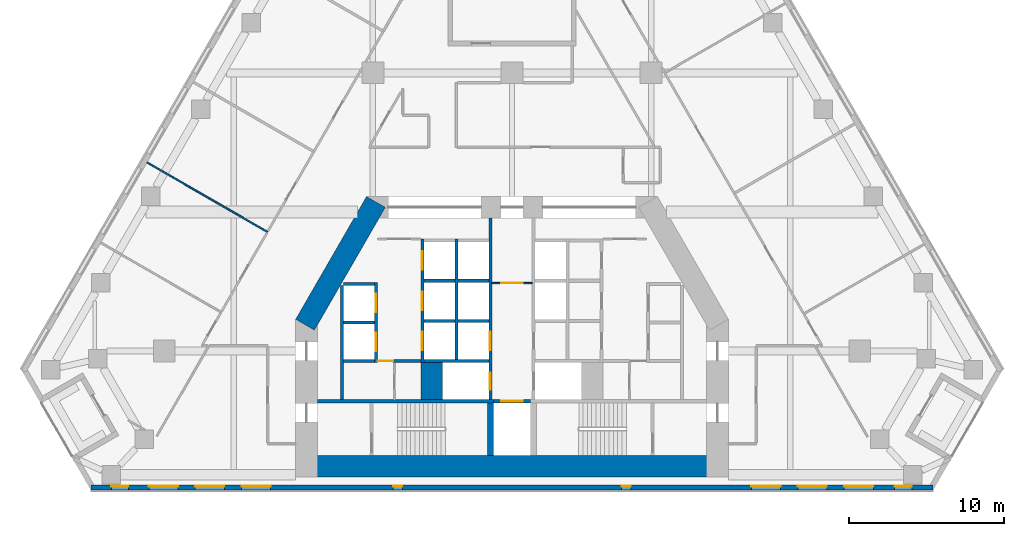
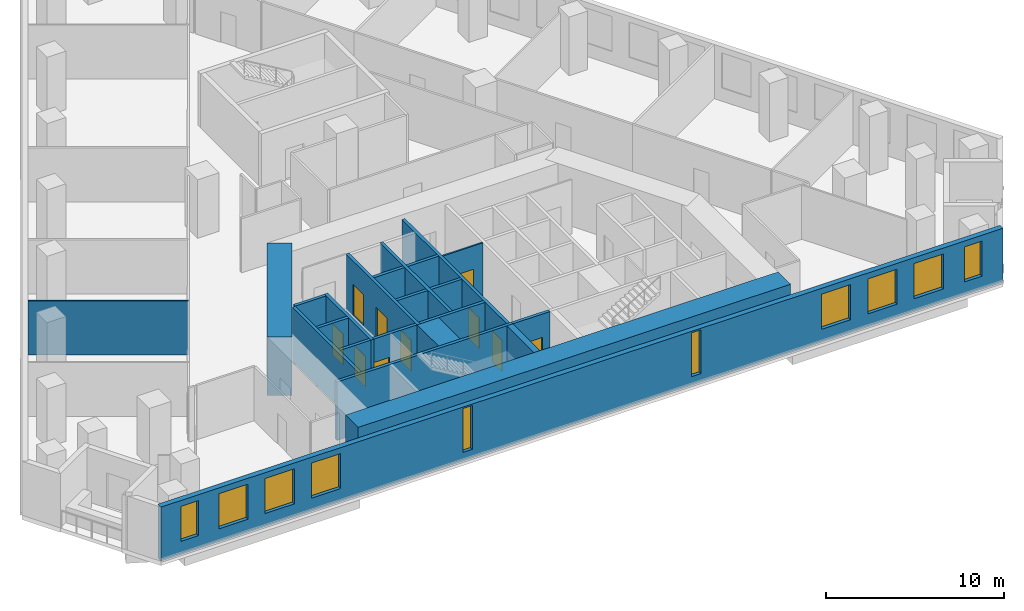
# One storey, part 4 of 11: 23 walls, 10 doors, 10 windows, 20 openings.
"""IFC4 building model written with IfcOpenShell, lengths in metres."""

from ifc_helpers import new_model, si_unit, direction, frame, frame_2d, origin, place, context, subcontext, project, spatial, rectangle, extrude, material, layer, layer_set, type_object, element, fill, save


model = new_model("IFC4")

# Units and contexts
model_context = context("Model", 3, precision=1e-05, world=origin(), true_north=direction((0.0, 1.0)))
body_context = subcontext(model_context, "Body", "Model", "MODEL_VIEW")
ifc_project = project(units=[si_unit("LENGTHUNIT", "METRE"), si_unit("AREAUNIT", "SQUARE_METRE"), si_unit("VOLUMEUNIT", "CUBIC_METRE"), si_unit("PLANEANGLEUNIT", "RADIAN"), si_unit("MASSUNIT", "GRAM", prefix="KILO")], contexts=[model_context])

# Site, building, storey
site_placement = place(None, origin())
site = spatial("IfcSite", under=ifc_project, at=site_placement, CompositionType="ELEMENT")
building_placement = place(site_placement, origin())
building = spatial("IfcBuilding", under=site, at=building_placement, Name="Fogline Exchange Tower", CompositionType="ELEMENT")
storey_placement = place(building_placement, frame((0.0, 0.0, 52.89990234375)))
storey = spatial("IfcBuildingStorey", under=building, at=storey_placement, Name="L10", CompositionType="ELEMENT", Elevation=52.89990234375)

# Wall, opening, door
ifc_material_1 = material(Name="Blockwork partition", Category="masonry")
ifc_layer_1 = layer(ifc_material_1, 0.10009765625)
ifc_layer_set_1 = layer_set([ifc_layer_1], Name="CW10")
wall_type_1 = type_object("IfcWallType", Name="CW10", PredefinedType="PARTITIONING", material=ifc_layer_set_1)
wall_1_placement = place(storey_placement, frame((-1.300048828125, 13.39990234375, 0.0), z_axis=(0.0, 0.0, 1.0), x_axis=(1.0, 0.0, 0.0)))
wall_1 = element("IfcWall", 1, at=wall_1_placement, inside=storey, type_object=wall_type_1, Name="Lift lobby partition", PredefinedType="PARTITIONING", context=body_context, shape_type="SweptSolid", body=[
    extrude(rectangle(XDim=2.60009765625, YDim=0.10009765625, at=frame_2d((1.300048828125, 0.0))), origin(), (0.0, 0.0, 1.0), 3.7001953125),
])
opening_1_placement = place(wall_1_placement, frame((0.60009765625, 0.0, 0.0)))
opening_1 = element("IfcOpeningElement", 2, at=opening_1_placement, cuts=wall_1, Name="Opening T03-C019", PredefinedType="OPENING", context=body_context, shape_type="SweptSolid", body=[
    extrude(rectangle(XDim=1.39990234375, YDim=2.10009765625, at=frame_2d((0.699951171875, 1.050048828125))), frame((0.0, 0.06005859375, 0.0), z_axis=(0.0, -1.0, 0.0), x_axis=(1.0, 0.0, 0.0)), (0.0, 0.0, 1.0), 0.1201171875),
])
ifc_material_2 = material(Name="Steel and timber fire door", Category="steel")
door_type_1 = type_object("IfcDoorType", Name="D-LB1", OperationType="DOUBLE_DOOR_SINGLE_SWING", PredefinedType="DOOR", material=ifc_material_2)
door_1_placement = place(opening_1_placement, origin())
door_1 = element("IfcDoor", 3, at=door_1_placement, inside=storey, type_object=door_type_1, Name="Door to firefighting lift lobby", OperationType="DOUBLE_DOOR_SINGLE_SWING", OverallHeight=2.10009765625, OverallWidth=1.39990234375, PredefinedType="DOOR", context=body_context, shape_type="SweptSolid", body=[
    extrude(rectangle(XDim=1.39990234375, YDim=2.10009765625, at=frame_2d((0.699951171875, 1.050048828125))), frame((0.0, 0.02490234375, 0.0), z_axis=(0.0, -1.0, 0.0), x_axis=(1.0, 0.0, 0.0)), (0.0, 0.0, 1.0), 0.050048828125),
])
fill(opening_1, door_1)

# Walls
ifc_material_3 = material(Name="Concrete C60", Category="concrete")
ifc_layer_2 = layer(ifc_material_3, 1.39990234375)
ifc_layer_set_2 = layer_set([ifc_layer_2], Name="CW140")
wall_type_2 = type_object("IfcWallType", Name="CW140", PredefinedType="SOLIDWALL", material=ifc_layer_set_2)
wall_2_placement = place(storey_placement, frame((-5.199951171875, 5.85009765625, -0.2998046875), z_axis=(0.0, 0.0, 1.0), x_axis=(0.0, 1.0, 0.0)))
element("IfcWall", 4, at=wall_2_placement, inside=storey, type_object=wall_type_2, Name="Lift shaft block wall", PredefinedType="SOLIDWALL", context=body_context, shape_type="SweptSolid", body=[
    extrude(rectangle(XDim=2.39990234375, YDim=1.39990234375, at=frame_2d((1.199951171875, 0.0))), origin(), (0.0, 0.0, 1.0), 4.0),
])
ifc_material_4 = material(Name="Concrete C40", Category="concrete")
ifc_layer_3 = layer(ifc_material_4, 0.199951171875)
ifc_layer_set_3 = layer_set([ifc_layer_3], Name="CW20")
wall_type_3 = type_object("IfcWallType", Name="CW20", PredefinedType="SOLIDWALL", material=ifc_layer_set_3)
wall_3_placement = place(storey_placement, frame((-11.0, 5.85009765625, 0.0), z_axis=(0.0, 0.0, 1.0), x_axis=(0.0, 1.0, 0.0)))
element("IfcWall", 5, at=wall_3_placement, inside=storey, type_object=wall_type_3, Name="Service room wall", PredefinedType="SOLIDWALL", context=body_context, shape_type="SweptSolid", body=[
    extrude(rectangle(XDim=7.39990234375, YDim=0.199951171875, at=frame_2d((3.699951171875, 0.0))), origin(), (0.0, 0.0, 1.0), 3.7001953125),
])

# Wall, opening, door
wall_4_placement = place(storey_placement, frame((-8.699951171875, 8.35009765625, 0.0), z_axis=(0.0, 0.0, 1.0), x_axis=(1.0, 0.0, 0.0)))
wall_4 = element("IfcWall", 6, at=wall_4_placement, inside=storey, type_object=wall_type_3, Name="WC wall", PredefinedType="SOLIDWALL", context=body_context, shape_type="SweptSolid", body=[
    extrude(rectangle(XDim=2.800048828125, YDim=0.199951171875, at=frame_2d((1.39990234375, 0.0))), origin(), (0.0, 0.0, 1.0), 3.7001953125),
])
opening_2_placement = place(wall_4_placement, origin())
opening_2 = element("IfcOpeningElement", 7, at=opening_2_placement, cuts=wall_4, Name="Opening T03-C008", PredefinedType="OPENING", context=body_context, shape_type="SweptSolid", body=[
    extrude(rectangle(XDim=1.0, YDim=2.10009765625, at=frame_2d((0.5, 1.050048828125))), frame((0.0, 0.10986328125, 0.0), z_axis=(0.0, -1.0, 0.0), x_axis=(1.0, 0.0, 0.0)), (0.0, 0.0, 1.0), 0.219970703125),
])
door_type_2 = type_object("IfcDoorType", Name="D-WC1", OperationType="SINGLE_SWING_LEFT", PredefinedType="DOOR", material=ifc_material_2)
door_2_placement = place(opening_2_placement, frame((1.0, 0.0, 0.0), z_axis=(0.0, 0.0, 1.0), x_axis=(-1.0, 0.0, 0.0)))
door_2 = element("IfcDoor", 8, at=door_2_placement, inside=storey, type_object=door_type_2, Name="Door to Men's WC", OperationType="SINGLE_SWING_LEFT", OverallHeight=2.10009765625, OverallWidth=1.0, PredefinedType="DOOR", context=body_context, shape_type="SweptSolid", body=[
    extrude(rectangle(XDim=1.0, YDim=2.10009765625, at=frame_2d((0.5, 1.050048828125))), frame((0.0, 0.02490234375, 0.0), z_axis=(0.0, -1.0, 0.0), x_axis=(1.0, 0.0, 0.0)), (0.0, 0.0, 1.0), 0.050048828125),
])
fill(opening_2, door_2)

# Wall
ifc_layer_4 = layer(ifc_material_4, 0.199951171875)
ifc_layer_set_4 = layer_set([ifc_layer_4], Name="CW20R")
wall_type_4 = type_object("IfcWallType", Name="CW20R", PredefinedType="SOLIDWALL", material=ifc_layer_set_4)
wall_5_placement = place(storey_placement, frame((-12.60009765625, 5.75, -0.2998046875), z_axis=(0.0, 0.0, 1.0), x_axis=(1.0, 0.0, 0.0)))
element("IfcWall", 9, at=wall_5_placement, inside=storey, type_object=wall_type_4, Name="Stair enclosure wall", PredefinedType="SOLIDWALL", context=body_context, shape_type="SweptSolid", body=[
    extrude(rectangle(XDim=11.400146484375, YDim=0.199951171875, at=frame_2d((5.7001953125, 0.0))), origin(), (0.0, 0.0, 1.0), 4.0),
])

# Wall, opening, door
wall_6_placement = place(storey_placement, frame((-1.199951171875, 5.75, -0.2998046875), z_axis=(0.0, 0.0, 1.0), x_axis=(1.0, 0.0, 0.0)))
wall_6 = element("IfcWall", 10, at=wall_6_placement, inside=storey, type_object=wall_type_4, Name="Stair enclosure wall", PredefinedType="SOLIDWALL", context=body_context, shape_type="SweptSolid", body=[
    extrude(rectangle(XDim=2.39990234375, YDim=0.199951171875, at=frame_2d((1.199951171875, 0.0))), origin(), (0.0, 0.0, 1.0), 4.0),
])
opening_3_placement = place(wall_6_placement, frame((0.5, 0.0, 0.300048828125)))
opening_3 = element("IfcOpeningElement", 11, at=opening_3_placement, cuts=wall_6, Name="Opening T03-LD09", PredefinedType="OPENING", context=body_context, shape_type="SweptSolid", body=[
    extrude(rectangle(XDim=1.39990234375, YDim=2.10009765625, at=frame_2d((0.699951171875, 1.050048828125))), frame((0.0, 0.10986328125, 0.0), z_axis=(0.0, -1.0, 0.0), x_axis=(1.0, 0.0, 0.0)), (0.0, 0.0, 1.0), 0.219970703125),
])
door_type_3 = type_object("IfcDoorType", Name="LD3", OperationType="SLIDING_TO_LEFT", PredefinedType="DOOR", material=ifc_material_2)
door_3_placement = place(opening_3_placement, origin())
door_3 = element("IfcDoor", 12, at=door_3_placement, inside=storey, type_object=door_type_3, Name="Landing door GL1", OperationType="SLIDING_TO_LEFT", OverallHeight=2.10009765625, OverallWidth=1.39990234375, PredefinedType="DOOR", context=body_context, shape_type="SweptSolid", body=[
    extrude(rectangle(XDim=1.39990234375, YDim=2.10009765625, at=frame_2d((0.699951171875, 1.050048828125))), frame((0.0, 0.02490234375, 0.0), z_axis=(0.0, -1.0, 0.0), x_axis=(1.0, 0.0, 0.0)), (0.0, 0.0, 1.0), 0.050048828125),
])
fill(opening_3, door_3)

# Wall, openings, doors
ifc_layer_5 = layer(ifc_material_4, 0.199951171875)
ifc_layer_set_5 = layer_set([ifc_layer_5], Name="CW20S")
wall_type_5 = type_object("IfcWallType", Name="CW20S", PredefinedType="SOLIDWALL", material=ifc_layer_set_5)
wall_7_placement = place(storey_placement, frame((-8.800048828125, 8.25, -0.2998046875), z_axis=(0.0, 0.0, 1.0), x_axis=(0.0, 1.0, 0.0)))
wall_7 = element("IfcWall", 13, at=wall_7_placement, inside=storey, type_object=wall_type_5, Name="Lift shaft wall", PredefinedType="SOLIDWALL", context=body_context, shape_type="SweptSolid", body=[
    extrude(rectangle(XDim=5.199951171875, YDim=0.199951171875, at=frame_2d((2.60009765625, 0.0))), origin(), (0.0, 0.0, 1.0), 4.0),
])
opening_4_placement = place(wall_7_placement, frame((0.75, 0.0, 0.300048828125)))
opening_4 = element("IfcOpeningElement", 14, at=opening_4_placement, cuts=wall_7, Name="Opening T03-LD01", PredefinedType="OPENING", context=body_context, shape_type="SweptSolid", body=[
    extrude(rectangle(XDim=1.199951171875, YDim=2.10009765625, at=frame_2d((0.60009765625, 1.050048828125))), frame((0.0, 0.10986328125, 0.0), z_axis=(0.0, -1.0, 0.0), x_axis=(1.0, 0.0, 0.0)), (0.0, 0.0, 1.0), 0.219970703125),
])
opening_5_placement = place(wall_7_placement, frame((3.25, 0.0, 0.300048828125)))
opening_5 = element("IfcOpeningElement", 15, at=opening_5_placement, cuts=wall_7, Name="Opening T03-LD02", PredefinedType="OPENING", context=body_context, shape_type="SweptSolid", body=[
    extrude(rectangle(XDim=1.199951171875, YDim=2.10009765625, at=frame_2d((0.60009765625, 1.050048828125))), frame((0.0, 0.10986328125, 0.0), z_axis=(0.0, -1.0, 0.0), x_axis=(1.0, 0.0, 0.0)), (0.0, 0.0, 1.0), 0.219970703125),
])
door_type_4 = type_object("IfcDoorType", Name="LD1", OperationType="SLIDING_TO_LEFT", PredefinedType="DOOR", material=ifc_material_2)
door_4_placement = place(opening_4_placement, origin())
door_4 = element("IfcDoor", 16, at=door_4_placement, inside=storey, type_object=door_type_4, Name="Landing door LR1", OperationType="SLIDING_TO_LEFT", OverallHeight=2.10009765625, OverallWidth=1.199951171875, PredefinedType="DOOR", context=body_context, shape_type="SweptSolid", body=[
    extrude(rectangle(XDim=1.199951171875, YDim=2.10009765625, at=frame_2d((0.60009765625, 1.050048828125))), frame((0.0, 0.02490234375, 0.0), z_axis=(0.0, -1.0, 0.0), x_axis=(1.0, 0.0, 0.0)), (0.0, 0.0, 1.0), 0.050048828125),
])
fill(opening_4, door_4)
door_5_placement = place(opening_5_placement, origin())
door_5 = element("IfcDoor", 17, at=door_5_placement, inside=storey, type_object=door_type_4, Name="Landing door LR2", OperationType="SLIDING_TO_LEFT", OverallHeight=2.10009765625, OverallWidth=1.199951171875, PredefinedType="DOOR", context=body_context, shape_type="SweptSolid", body=[
    extrude(rectangle(XDim=1.199951171875, YDim=2.10009765625, at=frame_2d((0.60009765625, 1.050048828125))), frame((0.0, 0.02490234375, 0.0), z_axis=(0.0, -1.0, 0.0), x_axis=(1.0, 0.0, 0.0)), (0.0, 0.0, 1.0), 0.050048828125),
])
fill(opening_5, door_5)

wall_8_placement = place(storey_placement, frame((-5.800048828125, 8.25, -0.2998046875), z_axis=(0.0, 0.0, 1.0), x_axis=(0.0, 1.0, 0.0)))
wall_8 = element("IfcWall", 18, at=wall_8_placement, inside=storey, type_object=wall_type_5, Name="Lift shaft wall", PredefinedType="SOLIDWALL", context=body_context, shape_type="SweptSolid", body=[
    extrude(rectangle(XDim=8.0, YDim=0.199951171875, at=frame_2d((4.0, 0.0))), origin(), (0.0, 0.0, 1.0), 4.0),
])
opening_6_placement = place(wall_8_placement, frame((0.800048828125, 0.0, 0.300048828125)))
opening_6 = element("IfcOpeningElement", 19, at=opening_6_placement, cuts=wall_8, Name="Opening T03-LD03", PredefinedType="OPENING", context=body_context, shape_type="SweptSolid", body=[
    extrude(rectangle(XDim=1.199951171875, YDim=2.10009765625, at=frame_2d((0.60009765625, 1.050048828125))), frame((0.0, 0.10986328125, 0.0), z_axis=(0.0, -1.0, 0.0), x_axis=(1.0, 0.0, 0.0)), (0.0, 0.0, 1.0), 0.219970703125),
])
opening_7_placement = place(wall_8_placement, frame((3.39990234375, 0.0, 0.300048828125)))
opening_7 = element("IfcOpeningElement", 20, at=opening_7_placement, cuts=wall_8, Name="Opening T03-LD04", PredefinedType="OPENING", context=body_context, shape_type="SweptSolid", body=[
    extrude(rectangle(XDim=1.199951171875, YDim=2.10009765625, at=frame_2d((0.60009765625, 1.050048828125))), frame((0.0, 0.10986328125, 0.0), z_axis=(0.0, -1.0, 0.0), x_axis=(1.0, 0.0, 0.0)), (0.0, 0.0, 1.0), 0.219970703125),
])
opening_8_placement = place(wall_8_placement, frame((6.0, 0.0, 0.300048828125)))
opening_8 = element("IfcOpeningElement", 21, at=opening_8_placement, cuts=wall_8, Name="Opening T03-LD05", PredefinedType="OPENING", context=body_context, shape_type="SweptSolid", body=[
    extrude(rectangle(XDim=1.199951171875, YDim=2.10009765625, at=frame_2d((0.60009765625, 1.050048828125))), frame((0.0, 0.10986328125, 0.0), z_axis=(0.0, -1.0, 0.0), x_axis=(1.0, 0.0, 0.0)), (0.0, 0.0, 1.0), 0.219970703125),
])
door_6_placement = place(opening_6_placement, origin())
door_6 = element("IfcDoor", 22, at=door_6_placement, inside=storey, type_object=door_type_4, Name="Landing door LR3", OperationType="SLIDING_TO_LEFT", OverallHeight=2.10009765625, OverallWidth=1.199951171875, PredefinedType="DOOR", context=body_context, shape_type="SweptSolid", body=[
    extrude(rectangle(XDim=1.199951171875, YDim=2.10009765625, at=frame_2d((0.60009765625, 1.050048828125))), frame((0.0, 0.02490234375, 0.0), z_axis=(0.0, -1.0, 0.0), x_axis=(1.0, 0.0, 0.0)), (0.0, 0.0, 1.0), 0.050048828125),
])
fill(opening_6, door_6)
door_7_placement = place(opening_7_placement, origin())
door_7 = element("IfcDoor", 23, at=door_7_placement, inside=storey, type_object=door_type_4, Name="Landing door LR4", OperationType="SLIDING_TO_LEFT", OverallHeight=2.10009765625, OverallWidth=1.199951171875, PredefinedType="DOOR", context=body_context, shape_type="SweptSolid", body=[
    extrude(rectangle(XDim=1.199951171875, YDim=2.10009765625, at=frame_2d((0.60009765625, 1.050048828125))), frame((0.0, 0.02490234375, 0.0), z_axis=(0.0, -1.0, 0.0), x_axis=(1.0, 0.0, 0.0)), (0.0, 0.0, 1.0), 0.050048828125),
])
fill(opening_7, door_7)
door_8_placement = place(opening_8_placement, origin())
door_8 = element("IfcDoor", 24, at=door_8_placement, inside=storey, type_object=door_type_4, Name="Landing door LR5", OperationType="SLIDING_TO_LEFT", OverallHeight=2.10009765625, OverallWidth=1.199951171875, PredefinedType="DOOR", context=body_context, shape_type="SweptSolid", body=[
    extrude(rectangle(XDim=1.199951171875, YDim=2.10009765625, at=frame_2d((0.60009765625, 1.050048828125))), frame((0.0, 0.02490234375, 0.0), z_axis=(0.0, -1.0, 0.0), x_axis=(1.0, 0.0, 0.0)), (0.0, 0.0, 1.0), 0.050048828125),
])
fill(opening_8, door_8)

# Wall
wall_9_placement = place(storey_placement, frame((-3.60009765625, 8.449951171875, -0.2998046875), z_axis=(0.0, 0.0, 1.0), x_axis=(0.0, 1.0, 0.0)))
element("IfcWall", 25, at=wall_9_placement, inside=storey, type_object=wall_type_5, Name="Lift shaft wall", PredefinedType="SOLIDWALL", context=body_context, shape_type="SweptSolid", body=[
    extrude(rectangle(XDim=7.800048828125, YDim=0.199951171875, at=frame_2d((3.89990234375, 0.0))), origin(), (0.0, 0.0, 1.0), 4.0),
])

# Wall, openings, doors
wall_10_placement = place(storey_placement, frame((-1.39990234375, 5.85009765625, -0.2998046875), z_axis=(0.0, 0.0, 1.0), x_axis=(0.0, 1.0, 0.0)))
wall_10 = element("IfcWall", 26, at=wall_10_placement, inside=storey, type_object=wall_type_5, Name="Lift lobby wall", PredefinedType="SOLIDWALL", context=body_context, shape_type="SweptSolid", body=[
    extrude(rectangle(XDim=11.75, YDim=0.199951171875, at=frame_2d((5.875, 0.0))), origin(), (0.0, 0.0, 1.0), 4.0),
])
opening_9_placement = place(wall_10_placement, frame((3.199951171875, 0.0, 0.300048828125)))
opening_9 = element("IfcOpeningElement", 27, at=opening_9_placement, cuts=wall_10, Name="Opening T03-LD06", PredefinedType="OPENING", context=body_context, shape_type="SweptSolid", body=[
    extrude(rectangle(XDim=1.199951171875, YDim=2.10009765625, at=frame_2d((0.60009765625, 1.050048828125))), frame((0.0, 0.10986328125, 0.0), z_axis=(0.0, -1.0, 0.0), x_axis=(1.0, 0.0, 0.0)), (0.0, 0.0, 1.0), 0.219970703125),
])
opening_10_placement = place(wall_10_placement, frame((0.64990234375, 0.0, 0.300048828125)))
opening_10 = element("IfcOpeningElement", 28, at=opening_10_placement, cuts=wall_10, Name="Opening T03-LD07", PredefinedType="OPENING", context=body_context, shape_type="SweptSolid", body=[
    extrude(rectangle(XDim=1.10009765625, YDim=2.10009765625, at=frame_2d((0.550048828125, 1.050048828125))), frame((0.0, 0.10986328125, 0.0), z_axis=(0.0, -1.0, 0.0), x_axis=(1.0, 0.0, 0.0)), (0.0, 0.0, 1.0), 0.219970703125),
])
door_9_placement = place(opening_9_placement, origin())
door_9 = element("IfcDoor", 29, at=door_9_placement, inside=storey, type_object=door_type_4, Name="Landing door LR6", OperationType="SLIDING_TO_LEFT", OverallHeight=2.10009765625, OverallWidth=1.199951171875, PredefinedType="DOOR", context=body_context, shape_type="SweptSolid", body=[
    extrude(rectangle(XDim=1.199951171875, YDim=2.10009765625, at=frame_2d((0.60009765625, 1.050048828125))), frame((0.0, 0.02490234375, 0.0), z_axis=(0.0, -1.0, 0.0), x_axis=(1.0, 0.0, 0.0)), (0.0, 0.0, 1.0), 0.050048828125),
])
fill(opening_9, door_9)
door_type_5 = type_object("IfcDoorType", Name="LD2", OperationType="SLIDING_TO_RIGHT", PredefinedType="DOOR", material=ifc_material_2)
door_10_placement = place(opening_10_placement, origin())
door_10 = element("IfcDoor", 30, at=door_10_placement, inside=storey, type_object=door_type_5, Name="Landing door FF1", OperationType="SLIDING_TO_RIGHT", OverallHeight=2.10009765625, OverallWidth=1.10009765625, PredefinedType="DOOR", context=body_context, shape_type="SweptSolid", body=[
    extrude(rectangle(XDim=1.10009765625, YDim=2.10009765625, at=frame_2d((0.550048828125, 1.050048828125))), frame((0.0, 0.02490234375, 0.0), z_axis=(0.0, -1.0, 0.0), x_axis=(1.0, 0.0, 0.0)), (0.0, 0.0, 1.0), 0.050048828125),
])
fill(opening_10, door_10)

# Walls
wall_11_placement = place(storey_placement, frame((-10.89990234375, 8.35009765625, -0.2998046875), z_axis=(0.0, 0.0, 1.0), x_axis=(1.0, 0.0, 0.0)))
element("IfcWall", 31, at=wall_11_placement, inside=storey, type_object=wall_type_5, Name="Lift shaft wall", PredefinedType="SOLIDWALL", context=body_context, shape_type="SweptSolid", body=[
    extrude(rectangle(XDim=2.0, YDim=0.199951171875, at=frame_2d((1.0, 0.0))), origin(), (0.0, 0.0, 1.0), 4.0),
])
wall_12_placement = place(storey_placement, frame((-5.699951171875, 8.35009765625, -0.2998046875), z_axis=(0.0, 0.0, 1.0), x_axis=(1.0, 0.0, 0.0)))
element("IfcWall", 32, at=wall_12_placement, inside=storey, type_object=wall_type_5, Name="Lift shaft wall", PredefinedType="SOLIDWALL", context=body_context, shape_type="SweptSolid", body=[
    extrude(rectangle(XDim=4.199951171875, YDim=0.199951171875, at=frame_2d((2.10009765625, 0.0))), origin(), (0.0, 0.0, 1.0), 4.0),
])
for number, where, z_axis, x_axis, name in (
    (33, (-10.89990234375, 10.85009765625, -0.2998046875), (0.0, 0.0, 1.0), (1.0, 0.0, 0.0), "Lift shaft wall"),
    (34, (-10.89990234375, 13.35009765625, -0.2998046875), (0.0, 0.0, 1.0), (1.0, 0.0, 0.0), "Lift shaft wall"),
    (35, (-5.699951171875, 10.949951171875, -0.2998046875), (0.0, 0.0, 1.0), (1.0, 0.0, 0.0), "Lift shaft wall"),
    (36, (-5.699951171875, 13.550048828125, -0.2998046875), (0.0, 0.0, 1.0), (1.0, 0.0, 0.0), "Lift shaft wall"),
    (37, (-3.5, 10.949951171875, -0.2998046875), (0.0, 0.0, 1.0), (1.0, 0.0, 0.0), "Lift shaft wall"),
    (38, (-3.5, 13.550048828125, -0.2998046875), (0.0, 0.0, 1.0), (1.0, 0.0, 0.0), "Lift shaft wall"),
):
    element("IfcWall", number, at=place(storey_placement, frame(where, z_axis=z_axis, x_axis=x_axis)), inside=storey, type_object=wall_type_5, Name=name, PredefinedType="SOLIDWALL", context=body_context, shape_type="SweptSolid", body=[
        extrude(rectangle(XDim=2.0, YDim=0.199951171875, at=frame_2d((1.0, 0.0))), origin(), (0.0, 0.0, 1.0), 4.0),
    ])
ifc_layer_6 = layer(ifc_material_4, 0.39990234375)
ifc_layer_set_6 = layer_set([ifc_layer_6], Name="CW40R")
wall_type_6 = type_object("IfcWallType", Name="CW40R", PredefinedType="SOLIDWALL", material=ifc_layer_set_6)
wall_13_placement = place(storey_placement, frame((-1.39990234375, 2.25, -0.2998046875), z_axis=(0.0, 0.0, 1.0), x_axis=(0.0, 1.0, 0.0)))
element("IfcWall", 39, at=wall_13_placement, inside=storey, type_object=wall_type_6, Name="Stair and lift shaft wall", PredefinedType="SOLIDWALL", context=body_context, shape_type="SweptSolid", body=[
    extrude(rectangle(XDim=3.39990234375, YDim=0.39990234375, at=frame_2d((1.699951171875, 0.0))), origin(), (0.0, 0.0, 1.0), 4.0),
])

# Wall, openings, windows
ifc_material_5 = material(Name="Brick masonry", Category="masonry")
ifc_layer_7 = layer(ifc_material_5, 0.340087890625)
ifc_layer_set_7 = layer_set([ifc_layer_7], Name="FW1")
wall_type_7 = type_object("IfcWallType", Name="FW1", PredefinedType="SOLIDWALL", material=ifc_layer_set_7)
wall_14_placement = place(storey_placement, frame((-27.255126953125, 0.169921875, 0.0), z_axis=(0.0, 0.0, 1.0), x_axis=(1.0, 0.0, 0.0)))
wall_14 = element("IfcWall", 40, at=wall_14_placement, inside=storey, type_object=wall_type_7, Name="Brick wall L10 S", PredefinedType="SOLIDWALL", context=body_context, shape_type="SweptSolid", body=[
    extrude(rectangle(XDim=54.51025390625, YDim=0.340087890625, at=frame_2d((27.255126953125, 0.0))), origin(), (0.0, 0.0, 1.0), 3.7001953125),
])
opening_11_placement = place(wall_14_placement, frame((3.755126953125, 0.0, 0.89990234375)))
opening_11 = element("IfcOpeningElement", 41, at=opening_11_placement, cuts=wall_14, Name="Opening W1", PredefinedType="OPENING", context=body_context, shape_type="SweptSolid", body=[
    extrude(rectangle(XDim=1.885009765625, YDim=2.39990234375, at=frame_2d((0.9423828125, 1.199951171875))), frame((0.0, 0.18017578125, 0.0), z_axis=(0.0, -1.0, 0.0), x_axis=(1.0, 0.0, 0.0)), (0.0, 0.0, 1.0), 0.360107421875),
])
opening_12_placement = place(wall_14_placement, frame((6.755126953125, 0.0, 0.89990234375)))
opening_12 = element("IfcOpeningElement", 42, at=opening_12_placement, cuts=wall_14, Name="Opening W1", PredefinedType="OPENING", context=body_context, shape_type="SweptSolid", body=[
    extrude(rectangle(XDim=1.885009765625, YDim=2.39990234375, at=frame_2d((0.9423828125, 1.199951171875))), frame((0.0, 0.18017578125, 0.0), z_axis=(0.0, -1.0, 0.0), x_axis=(1.0, 0.0, 0.0)), (0.0, 0.0, 1.0), 0.360107421875),
])
opening_13_placement = place(wall_14_placement, frame((9.755126953125, 0.0, 0.89990234375)))
opening_13 = element("IfcOpeningElement", 43, at=opening_13_placement, cuts=wall_14, Name="Opening W1", PredefinedType="OPENING", context=body_context, shape_type="SweptSolid", body=[
    extrude(rectangle(XDim=1.885009765625, YDim=2.39990234375, at=frame_2d((0.9423828125, 1.199951171875))), frame((0.0, 0.18017578125, 0.0), z_axis=(0.0, -1.0, 0.0), x_axis=(1.0, 0.0, 0.0)), (0.0, 0.0, 1.0), 0.360107421875),
])
opening_14_placement = place(wall_14_placement, frame((42.755126953125, 0.0, 0.89990234375)))
opening_14 = element("IfcOpeningElement", 44, at=opening_14_placement, cuts=wall_14, Name="Opening W1", PredefinedType="OPENING", context=body_context, shape_type="SweptSolid", body=[
    extrude(rectangle(XDim=1.885009765625, YDim=2.39990234375, at=frame_2d((0.9423828125, 1.199951171875))), frame((0.0, 0.18017578125, 0.0), z_axis=(0.0, -1.0, 0.0), x_axis=(1.0, 0.0, 0.0)), (0.0, 0.0, 1.0), 0.360107421875),
])
opening_15_placement = place(wall_14_placement, frame((45.755126953125, 0.0, 0.89990234375)))
opening_15 = element("IfcOpeningElement", 45, at=opening_15_placement, cuts=wall_14, Name="Opening W1", PredefinedType="OPENING", context=body_context, shape_type="SweptSolid", body=[
    extrude(rectangle(XDim=1.885009765625, YDim=2.39990234375, at=frame_2d((0.9423828125, 1.199951171875))), frame((0.0, 0.18017578125, 0.0), z_axis=(0.0, -1.0, 0.0), x_axis=(1.0, 0.0, 0.0)), (0.0, 0.0, 1.0), 0.360107421875),
])
opening_16_placement = place(wall_14_placement, frame((48.755126953125, 0.0, 0.89990234375)))
opening_16 = element("IfcOpeningElement", 46, at=opening_16_placement, cuts=wall_14, Name="Opening W1", PredefinedType="OPENING", context=body_context, shape_type="SweptSolid", body=[
    extrude(rectangle(XDim=1.885009765625, YDim=2.39990234375, at=frame_2d((0.9423828125, 1.199951171875))), frame((0.0, 0.18017578125, 0.0), z_axis=(0.0, -1.0, 0.0), x_axis=(1.0, 0.0, 0.0)), (0.0, 0.0, 1.0), 0.360107421875),
])
opening_17_placement = place(wall_14_placement, frame((1.320068359375, 0.0, 0.89990234375)))
opening_17 = element("IfcOpeningElement", 47, at=opening_17_placement, cuts=wall_14, Name="Opening W4", PredefinedType="OPENING", context=body_context, shape_type="SweptSolid", body=[
    extrude(rectangle(XDim=1.114990234375, YDim=2.39990234375, at=frame_2d((0.5576171875, 1.199951171875))), frame((0.0, 0.18017578125, 0.0), z_axis=(0.0, -1.0, 0.0), x_axis=(1.0, 0.0, 0.0)), (0.0, 0.0, 1.0), 0.360107421875),
])
opening_18_placement = place(wall_14_placement, frame((52.017822265625, 0.0, 0.89990234375)))
opening_18 = element("IfcOpeningElement", 48, at=opening_18_placement, cuts=wall_14, Name="Opening W4", PredefinedType="OPENING", context=body_context, shape_type="SweptSolid", body=[
    extrude(rectangle(XDim=1.114990234375, YDim=2.39990234375, at=frame_2d((0.5576171875, 1.199951171875))), frame((0.0, 0.18017578125, 0.0), z_axis=(0.0, -1.0, 0.0), x_axis=(1.0, 0.0, 0.0)), (0.0, 0.0, 1.0), 0.360107421875),
])
opening_19_placement = place(wall_14_placement, frame((19.55517578125, 0.0, 0.60009765625)))
opening_19 = element("IfcOpeningElement", 49, at=opening_19_placement, cuts=wall_14, Name="Opening W5", PredefinedType="OPENING", context=body_context, shape_type="SweptSolid", body=[
    extrude(rectangle(XDim=0.60009765625, YDim=3.0, at=frame_2d((0.300048828125, 1.5))), frame((0.0, 0.18017578125, 0.0), z_axis=(0.0, -1.0, 0.0), x_axis=(1.0, 0.0, 0.0)), (0.0, 0.0, 1.0), 0.360107421875),
])
opening_20_placement = place(wall_14_placement, frame((34.355224609375, 0.0, 0.60009765625)))
opening_20 = element("IfcOpeningElement", 50, at=opening_20_placement, cuts=wall_14, Name="Opening W5", PredefinedType="OPENING", context=body_context, shape_type="SweptSolid", body=[
    extrude(rectangle(XDim=0.60009765625, YDim=3.0, at=frame_2d((0.300048828125, 1.5))), frame((0.0, 0.18017578125, 0.0), z_axis=(0.0, -1.0, 0.0), x_axis=(1.0, 0.0, 0.0)), (0.0, 0.0, 1.0), 0.360107421875),
])
ifc_material_6 = material(Name="Aluminium and glass", Category="aluminium")
window_type_1 = type_object("IfcWindowType", Name="W1", PartitioningType="SINGLE_PANEL", PredefinedType="WINDOW", material=ifc_material_6)
window_1_placement = place(opening_11_placement, origin())
window_1 = element("IfcWindow", 51, at=window_1_placement, inside=storey, type_object=window_type_1, Name="W1 W1", OverallHeight=2.39990234375, OverallWidth=1.885009765625, PartitioningType="SINGLE_PANEL", PredefinedType="WINDOW", context=body_context, shape_type="SweptSolid", body=[
    extrude(rectangle(XDim=1.885009765625, YDim=2.39990234375, at=frame_2d((0.9423828125, 1.199951171875))), frame((0.0, 0.110107421875, 0.0), z_axis=(0.0, -1.0, 0.0), x_axis=(1.0, 0.0, 0.0)), (0.0, 0.0, 1.0), 0.06005859375),
])
fill(opening_11, window_1)
window_2_placement = place(opening_12_placement, origin())
window_2 = element("IfcWindow", 52, at=window_2_placement, inside=storey, type_object=window_type_1, Name="W1 W1", OverallHeight=2.39990234375, OverallWidth=1.885009765625, PartitioningType="SINGLE_PANEL", PredefinedType="WINDOW", context=body_context, shape_type="SweptSolid", body=[
    extrude(rectangle(XDim=1.885009765625, YDim=2.39990234375, at=frame_2d((0.9423828125, 1.199951171875))), frame((0.0, 0.110107421875, 0.0), z_axis=(0.0, -1.0, 0.0), x_axis=(1.0, 0.0, 0.0)), (0.0, 0.0, 1.0), 0.06005859375),
])
fill(opening_12, window_2)
window_3_placement = place(opening_13_placement, origin())
window_3 = element("IfcWindow", 53, at=window_3_placement, inside=storey, type_object=window_type_1, Name="W1 W1", OverallHeight=2.39990234375, OverallWidth=1.885009765625, PartitioningType="SINGLE_PANEL", PredefinedType="WINDOW", context=body_context, shape_type="SweptSolid", body=[
    extrude(rectangle(XDim=1.885009765625, YDim=2.39990234375, at=frame_2d((0.9423828125, 1.199951171875))), frame((0.0, 0.110107421875, 0.0), z_axis=(0.0, -1.0, 0.0), x_axis=(1.0, 0.0, 0.0)), (0.0, 0.0, 1.0), 0.06005859375),
])
fill(opening_13, window_3)
window_4_placement = place(opening_14_placement, origin())
window_4 = element("IfcWindow", 54, at=window_4_placement, inside=storey, type_object=window_type_1, Name="W1 W1", OverallHeight=2.39990234375, OverallWidth=1.885009765625, PartitioningType="SINGLE_PANEL", PredefinedType="WINDOW", context=body_context, shape_type="SweptSolid", body=[
    extrude(rectangle(XDim=1.885009765625, YDim=2.39990234375, at=frame_2d((0.9423828125, 1.199951171875))), frame((0.0, 0.110107421875, 0.0), z_axis=(0.0, -1.0, 0.0), x_axis=(1.0, 0.0, 0.0)), (0.0, 0.0, 1.0), 0.06005859375),
])
fill(opening_14, window_4)
window_5_placement = place(opening_15_placement, origin())
window_5 = element("IfcWindow", 55, at=window_5_placement, inside=storey, type_object=window_type_1, Name="W1 W1", OverallHeight=2.39990234375, OverallWidth=1.885009765625, PartitioningType="SINGLE_PANEL", PredefinedType="WINDOW", context=body_context, shape_type="SweptSolid", body=[
    extrude(rectangle(XDim=1.885009765625, YDim=2.39990234375, at=frame_2d((0.9423828125, 1.199951171875))), frame((0.0, 0.110107421875, 0.0), z_axis=(0.0, -1.0, 0.0), x_axis=(1.0, 0.0, 0.0)), (0.0, 0.0, 1.0), 0.06005859375),
])
fill(opening_15, window_5)
window_6_placement = place(opening_16_placement, origin())
window_6 = element("IfcWindow", 56, at=window_6_placement, inside=storey, type_object=window_type_1, Name="W1 W1", OverallHeight=2.39990234375, OverallWidth=1.885009765625, PartitioningType="SINGLE_PANEL", PredefinedType="WINDOW", context=body_context, shape_type="SweptSolid", body=[
    extrude(rectangle(XDim=1.885009765625, YDim=2.39990234375, at=frame_2d((0.9423828125, 1.199951171875))), frame((0.0, 0.110107421875, 0.0), z_axis=(0.0, -1.0, 0.0), x_axis=(1.0, 0.0, 0.0)), (0.0, 0.0, 1.0), 0.06005859375),
])
fill(opening_16, window_6)
window_type_2 = type_object("IfcWindowType", Name="W4", PartitioningType="SINGLE_PANEL", PredefinedType="WINDOW", material=ifc_material_6)
window_7_placement = place(opening_17_placement, origin())
window_7 = element("IfcWindow", 57, at=window_7_placement, inside=storey, type_object=window_type_2, Name="W4 W4", OverallHeight=2.39990234375, OverallWidth=1.114990234375, PartitioningType="SINGLE_PANEL", PredefinedType="WINDOW", context=body_context, shape_type="SweptSolid", body=[
    extrude(rectangle(XDim=1.114990234375, YDim=2.39990234375, at=frame_2d((0.5576171875, 1.199951171875))), frame((0.0, 0.110107421875, 0.0), z_axis=(0.0, -1.0, 0.0), x_axis=(1.0, 0.0, 0.0)), (0.0, 0.0, 1.0), 0.06005859375),
])
fill(opening_17, window_7)
window_8_placement = place(opening_18_placement, origin())
window_8 = element("IfcWindow", 58, at=window_8_placement, inside=storey, type_object=window_type_2, Name="W4 W4", OverallHeight=2.39990234375, OverallWidth=1.114990234375, PartitioningType="SINGLE_PANEL", PredefinedType="WINDOW", context=body_context, shape_type="SweptSolid", body=[
    extrude(rectangle(XDim=1.114990234375, YDim=2.39990234375, at=frame_2d((0.5576171875, 1.199951171875))), frame((0.0, 0.110107421875, 0.0), z_axis=(0.0, -1.0, 0.0), x_axis=(1.0, 0.0, 0.0)), (0.0, 0.0, 1.0), 0.06005859375),
])
fill(opening_18, window_8)
window_type_3 = type_object("IfcWindowType", Name="W5", PartitioningType="SINGLE_PANEL", PredefinedType="WINDOW", material=ifc_material_6)
window_9_placement = place(opening_19_placement, origin())
window_9 = element("IfcWindow", 59, at=window_9_placement, inside=storey, type_object=window_type_3, Name="W5 W5", OverallHeight=3.0, OverallWidth=0.60009765625, PartitioningType="SINGLE_PANEL", PredefinedType="WINDOW", context=body_context, shape_type="SweptSolid", body=[
    extrude(rectangle(XDim=0.60009765625, YDim=3.0, at=frame_2d((0.300048828125, 1.5))), frame((0.0, 0.110107421875, 0.0), z_axis=(0.0, -1.0, 0.0), x_axis=(1.0, 0.0, 0.0)), (0.0, 0.0, 1.0), 0.06005859375),
])
fill(opening_19, window_9)
window_10_placement = place(opening_20_placement, origin())
window_10 = element("IfcWindow", 60, at=window_10_placement, inside=storey, type_object=window_type_3, Name="W5 W5", OverallHeight=3.0, OverallWidth=0.60009765625, PartitioningType="SINGLE_PANEL", PredefinedType="WINDOW", context=body_context, shape_type="SweptSolid", body=[
    extrude(rectangle(XDim=0.60009765625, YDim=3.0, at=frame_2d((0.300048828125, 1.5))), frame((0.0, 0.110107421875, 0.0), z_axis=(0.0, -1.0, 0.0), x_axis=(1.0, 0.0, 0.0)), (0.0, 0.0, 1.0), 0.06005859375),
])
fill(opening_20, window_10)

# Walls
ifc_material_7 = material(Name="Plasterboard partition, 2 layers each side on steel studs", Category="steel")
ifc_layer_8 = layer(ifc_material_7, 0.10009765625)
ifc_layer_set_8 = layer_set([ifc_layer_8], Name="PW1")
wall_type_8 = type_object("IfcWallType", Name="PW1", PredefinedType="PARTITIONING", material=ifc_layer_set_8)
wall_15_placement = place(storey_placement, frame((-15.823974609375, 16.7080078125, 0.0), z_axis=(0.0, 0.0, 1.0), x_axis=(-0.866024315419, 0.5000018851, 0.0)))
element("IfcWall", 61, at=wall_15_placement, inside=storey, type_object=wall_type_8, Name="wall-L10-W051", PredefinedType="PARTITIONING", context=body_context, shape_type="SweptSolid", body=[
    extrude(rectangle(XDim=9.0, YDim=0.10009765625, at=frame_2d((4.5, 0.0))), origin(), (0.0, 0.0, 1.0), 3.7001953125),
])
ifc_layer_9 = layer(ifc_material_3, 1.39990234375)
ifc_layer_set_9 = layer_set([ifc_layer_9], Name="SW01")
wall_type_9 = type_object("IfcWallType", Name="SW01", PredefinedType="SHEAR", material=ifc_layer_set_9)
wall_16_placement = place(storey_placement, frame((-14.0, 1.550048828125, 0.0), z_axis=(0.0, 0.0, 1.0), x_axis=(1.0, 0.0, 0.0)))
element("IfcWall", 62, at=wall_16_placement, inside=storey, type_object=wall_type_9, Name="L10-W901", PredefinedType="SHEAR", context=body_context, shape_type="SweptSolid", body=[
    extrude(rectangle(XDim=28.0, YDim=1.39990234375, at=frame_2d((14.0, 0.0))), origin(), (0.0, 0.0, 1.0), 4.0),
])
wall_17_placement = place(storey_placement, frame((-8.805419921875, 18.64990234375, 0.0), z_axis=(0.0, 0.0, 1.0), x_axis=(-0.50000187635, -0.866024320471, 0.0)))
element("IfcWall", 63, at=wall_17_placement, inside=storey, type_object=wall_type_9, Name="L10-W905", PredefinedType="SHEAR", context=body_context, shape_type="SweptSolid", body=[
    extrude(rectangle(XDim=9.1767578125, YDim=1.39990234375, at=frame_2d((4.58837890625, 0.0))), origin(), (0.0, 0.0, 1.0), 4.0),
])

save(model, "model.ifc")
